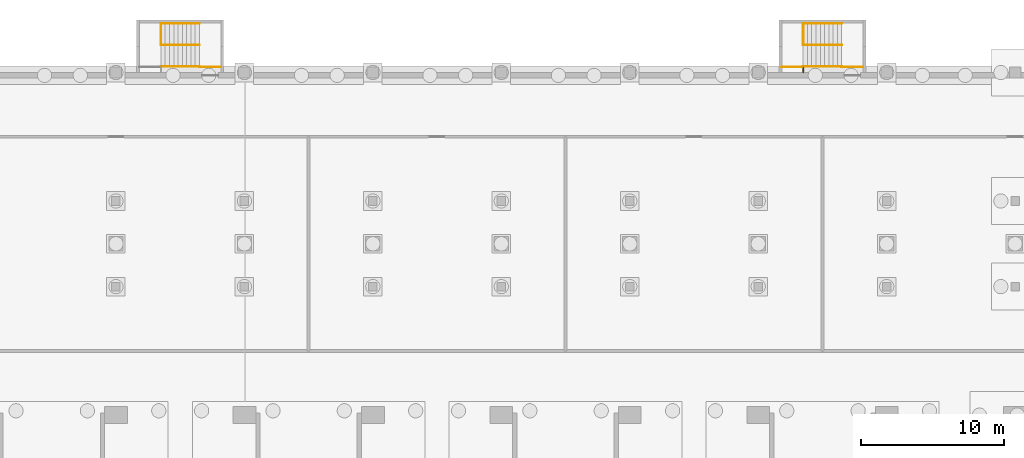
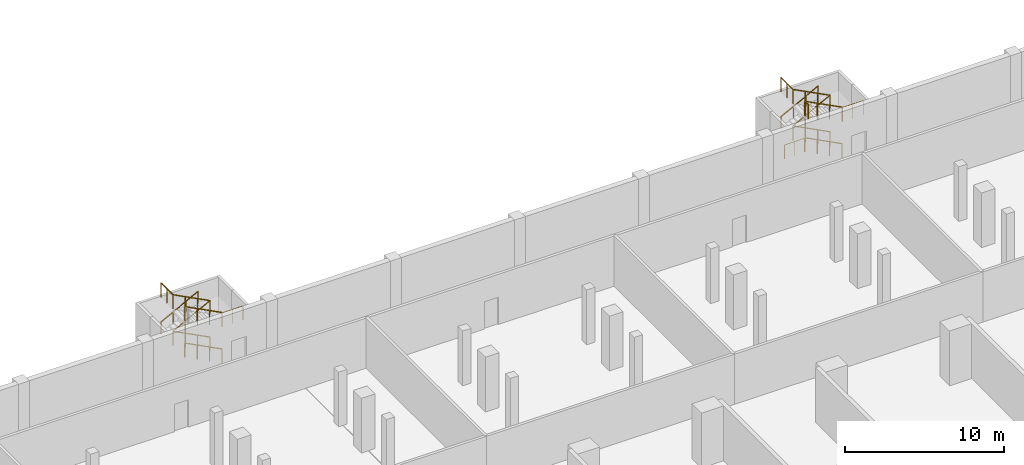
# One storey, part 25 of 29: 18 railings.
"""IFC4 building model written with IfcOpenShell, lengths in metres."""

import ifcopenshell
import ifcopenshell.guid

model = None  # the IFC model being written
_history = None  # IfcOwnerHistory: only IFC2X3 demands one
_inside = {}  # id of a spatial element -> (the spatial element, [elements in it])
_under = {}  # id of a project, library or spatial element -> (it, [spatial elements below it])
_declared = {}  # id of a project -> (the project, [libraries it declares])
_typed = {}  # id of a type object -> (the type object, [elements of that type])
_made_of = {}  # id of a material, layer set ... -> (it, [elements and type objects made of it])


def new_model(schema):
    """Start an empty IFC model of exactly this schema.

    Asked for "IFC4X3", IfcOpenShell would pick the latest addendum, in which some entities
    have other attributes; the version numbers below select the first issue.
    IFC2X3 requires an IfcOwnerHistory on every rooted entity: one is made here for all.
    """
    global model, _history
    if schema == "IFC4X3":
        model = ifcopenshell.file(schema_version=(4, 3, 0, 0))
    else:
        model = ifcopenshell.file(schema=schema)
    _inside.clear()
    _under.clear()
    _declared.clear()
    _typed.clear()
    _made_of.clear()
    _history = None
    if model.schema == "IFC2X3":
        org = make("IfcOrganization", Name="unknown")
        user = make(
            "IfcPersonAndOrganization",
            ThePerson=make("IfcPerson", FamilyName="unknown"),
            TheOrganization=org,
        )
        app = make(
            "IfcApplication",
            ApplicationDeveloper=org,
            Version="unknown",
            ApplicationFullName="unknown",
            ApplicationIdentifier="unknown",
        )
        _history = make(
            "IfcOwnerHistory",
            OwningUser=user,
            OwningApplication=app,
            ChangeAction="ADDED",
            CreationDate=0,
        )
    return model


def make(cls, **values):
    """One entity of the class cls with the attributes given. An attribute that is None is left unset."""
    return model.create_entity(
        cls, **{name: value for name, value in values.items() if value is not None}
    )


def rooted(cls, **values):
    """An entity with a GlobalId (a new one), such as an element, a storey or a relation."""
    return make(cls, GlobalId=ifcopenshell.guid.new(), OwnerHistory=_history, **values)


def si_unit(unit_type, name, prefix=None):
    """IfcSIUnit, for example si_unit("LENGTHUNIT", "METRE", prefix="MILLI")."""
    return make("IfcSIUnit", UnitType=unit_type, Prefix=prefix, Name=name)


def assignment(units):
    """IfcUnitAssignment: the units of a project."""
    return None if units is None else make("IfcUnitAssignment", Units=units)


def point(xyz):
    """IfcCartesianPoint."""
    return None if xyz is None else make("IfcCartesianPoint", Coordinates=xyz)


def direction(xyz):
    """IfcDirection."""
    return None if xyz is None else make("IfcDirection", DirectionRatios=xyz)


def frame(location, z_axis=None, x_axis=None):
    """IfcAxis2Placement3D, a coordinate frame: its origin and axes. An axis left out is left unset."""
    return make(
        "IfcAxis2Placement3D",
        Location=point(location),
        Axis=direction(z_axis),
        RefDirection=direction(x_axis),
    )


def frame_2d(location, x_axis=None):
    """IfcAxis2Placement2D, a coordinate frame in the plane: its origin and x axis."""
    return make(
        "IfcAxis2Placement2D", Location=point(location), RefDirection=direction(x_axis)
    )


def origin():
    """The frame at (0, 0, 0) with its axes left unset."""
    return frame((0.0, 0.0, 0.0))


def origin_2d():
    """The frame at (0, 0) in the plane with its x axis left unset."""
    return frame_2d((0.0, 0.0))


def place(relative_to, where):
    """IfcLocalPlacement: puts the frame where relative to a parent placement (None: the world)."""
    return make(
        "IfcLocalPlacement", PlacementRelTo=relative_to, RelativePlacement=where
    )


def context(
    kind, dimensions, precision=None, world=None, true_north=None, identifier=None
):
    """IfcGeometricRepresentationContext, for example the 3D "Model" context."""
    return make(
        "IfcGeometricRepresentationContext",
        ContextIdentifier=identifier,
        ContextType=kind,
        CoordinateSpaceDimension=dimensions,
        Precision=precision,
        WorldCoordinateSystem=world,
        TrueNorth=true_north,
    )


def subcontext(parent, identifier, kind, view, scale=None):
    """IfcGeometricRepresentationSubContext, for example "Body" below "Model"."""
    return make(
        "IfcGeometricRepresentationSubContext",
        ContextIdentifier=identifier,
        ContextType=kind,
        ParentContext=parent,
        TargetScale=scale,
        TargetView=view,
    )


def project(units=None, contexts=None):
    """IfcProject with its units and contexts."""
    return rooted(
        "IfcProject",
        Name="project",
        RepresentationContexts=contexts,
        UnitsInContext=assignment(units),
    )


def spatial(cls, under=None, at=None, **own):
    """A site, building, storey or space (cls), placed at a placement, below another one or the project."""
    s = rooted(cls, ObjectPlacement=at, **own)
    if under is not None:
        _under.setdefault(under.id(), (under, []))[1].append(s)
    return s


def profile(cls, at=None, kind="AREA", **sizes):
    """A parametric profile (cls). Its sizes go by their IFC names, for example OverallWidth=200.0."""
    return make(cls, ProfileType=kind, Position=at, **sizes)


def circle(**sizes):
    """IfcCircleProfileDef."""
    return profile("IfcCircleProfileDef", **sizes)


def extrude(swept, where, along, depth):
    """IfcExtrudedAreaSolid: the profile swept, set in the frame where, extruded along a direction by depth."""
    return make(
        "IfcExtrudedAreaSolid",
        SweptArea=swept,
        Position=where,
        ExtrudedDirection=direction(along),
        Depth=depth,
    )


def shape(context_of_items, identifier, shape_type, items):
    """IfcShapeRepresentation: the items that make up one representation, for example the "Body"."""
    return make(
        "IfcShapeRepresentation",
        ContextOfItems=context_of_items,
        RepresentationIdentifier=identifier,
        RepresentationType=shape_type,
        Items=items,
    )


def material(Name=None, Category=None):
    """IfcMaterial."""
    return make("IfcMaterial", Name=Name, Category=Category)


def made_of(thing, what):
    """Note that an element or type object is made of a material, layer set ...; save() writes the relation."""
    if what is not None:
        _made_of.setdefault(what.id(), (what, []))[1].append(thing)
    return thing


def type_object(cls, material=None, **own):
    """A type object (cls), such as IfcWallType, which elements share."""
    return made_of(rooted(cls, **own), material)


def element(
    cls,
    number,
    at=None,
    inside=None,
    cuts=None,
    type_object=None,
    material=None,
    context=None,
    identifier="Body",
    shape_type=None,
    held_by="IfcProductDefinitionShape",
    body=None,
    shapes=None,
    **own,
):
    """One element of the class cls, such as IfcWall. Its Tag is "e" and its number.

    at: its placement. inside: the storey or other place that contains it. cuts: it is an
    opening in that element (IfcRelVoidsElement). A single representation is given by context,
    identifier, shape_type and body (its items); several are given by shapes. held_by: the class
    of the entity that holds the representations. save() writes the other relations.
    """
    e = rooted(cls, Tag="e%d" % number, ObjectPlacement=at, **own)
    if body is not None:
        shapes = [shape(context, identifier, shape_type, body)]
    if shapes is not None:
        e.Representation = make(held_by, Representations=shapes)
    if inside is not None:
        _inside.setdefault(inside.id(), (inside, []))[1].append(e)
    if cuts is not None:
        rooted(
            "IfcRelVoidsElement", RelatingBuildingElement=cuts, RelatedOpeningElement=e
        )
    if type_object is not None:
        _typed.setdefault(type_object.id(), (type_object, []))[1].append(e)
    return made_of(e, material)


def aggregate(whole, parts):
    """IfcRelAggregates: a whole, such as a stair, and the parts it consists of."""
    return rooted("IfcRelAggregates", RelatingObject=whole, RelatedObjects=parts)


def save(model, path):
    """Write the relations noted so far, then the file.

    IfcRelAggregates (storeys below a building ...), IfcRelContainedInSpatialStructure (elements
    in a storey), IfcRelDefinesByType, IfcRelAssociatesMaterial and IfcRelDeclares: one each for
    every whole, place, type object, material and project.
    """
    for whole, parts in _under.values():
        aggregate(whole, parts)
    for where, things in _inside.values():
        rooted(
            "IfcRelContainedInSpatialStructure",
            RelatedElements=things,
            RelatingStructure=where,
        )
    for kind, things in _typed.values():
        rooted("IfcRelDefinesByType", RelatedObjects=things, RelatingType=kind)
    for what, things in _made_of.values():
        rooted("IfcRelAssociatesMaterial", RelatedObjects=things, RelatingMaterial=what)
    for by, libraries in _declared.values():
        rooted("IfcRelDeclares", RelatingContext=by, RelatedDefinitions=libraries)
    model.write(path)


model = new_model("IFC4")

# Units and contexts
model_context = context("Model", 3, precision=1e-05, world=origin(), true_north=direction((0.0, 1.0)))
body_context = subcontext(model_context, "Body", "Model", "MODEL_VIEW")
ifc_project = project(units=[si_unit("LENGTHUNIT", "METRE"), si_unit("AREAUNIT", "SQUARE_METRE"), si_unit("VOLUMEUNIT", "CUBIC_METRE"), si_unit("PLANEANGLEUNIT", "RADIAN"), si_unit("MASSUNIT", "GRAM", prefix="KILO")], contexts=[model_context])

# Site, building, storey
site_placement = place(None, origin())
site = spatial("IfcSite", under=ifc_project, at=site_placement, CompositionType="ELEMENT")
building_placement = place(site_placement, origin())
building = spatial("IfcBuilding", under=site, at=building_placement, Name="Aravalli Gate Trade Fair Centre", CompositionType="ELEMENT")
storey_placement = place(building_placement, frame((0.0, 0.0, -8.39990234375)))
storey = spatial("IfcBuildingStorey", under=building, at=storey_placement, Name="B2", CompositionType="ELEMENT", Elevation=-8.39990234375)

# Railings
ifc_material = material(Name="Steel E350", Category="steel")
railing_type_1 = type_object("IfcRailingType", Name="Basement stair guard 1100", PredefinedType="GUARDRAIL", material=ifc_material)
railing_1_placement = place(storey_placement, frame((47.85009765625, 134.929931640625, 0.0)))
element("IfcRailing", 1, at=railing_1_placement, inside=storey, type_object=railing_type_1, Name="Basement stair N2 guard A B2", PredefinedType="GUARDRAIL", context=body_context, shape_type="SweptSolid", body=[
    extrude(circle(Radius=0.02392578125, at=origin_2d()), frame((0.0, 0.0, 1.076171875), z_axis=(-0.887781257544, 0.0, 0.460265617609), x_axis=(0.0, -1.0, 0.0)), (0.0, 0.0, 1.0), 3.04150390625),
    extrude(circle(Radius=0.02099609375, at=origin_2d()), origin(), (0.0, 0.0, 1.0), 1.052001953125),
    extrude(circle(Radius=0.02099609375, at=origin_2d()), frame((-0.900146484375, 0.0, 0.466552734375)), (0.0, 0.0, 1.0), 1.052001953125),
    extrude(circle(Radius=0.02099609375, at=origin_2d()), frame((-1.800048828125, 0.0, 0.933349609375)), (0.0, 0.0, 1.0), 1.052001953125),
    extrude(circle(Radius=0.02099609375, at=origin_2d()), frame((-2.7001953125, 0.0, 1.39990234375)), (0.0, 0.0, 1.0), 1.052001953125),
])
railing_2_placement = place(storey_placement, frame((45.14990234375, 134.929931640625, 1.39990234375)))
element("IfcRailing", 2, at=railing_2_placement, inside=storey, type_object=railing_type_1, Name="Basement stair N2 guard B B2", PredefinedType="GUARDRAIL", context=body_context, shape_type="SweptSolid", body=[
    extrude(circle(Radius=0.02392578125, at=origin_2d()), frame((0.0, 0.0, 1.076171875), z_axis=(0.887781257544, 0.0, 0.460265617609), x_axis=(0.0, 1.0, 0.0)), (0.0, 0.0, 1.0), 3.04150390625),
    extrude(circle(Radius=0.02099609375, at=origin_2d()), origin(), (0.0, 0.0, 1.0), 1.052001953125),
    extrude(circle(Radius=0.02099609375, at=origin_2d()), frame((0.900146484375, 0.0, 0.466552734375)), (0.0, 0.0, 1.0), 1.052001953125),
    extrude(circle(Radius=0.02099609375, at=origin_2d()), frame((1.800048828125, 0.0, 0.933349609375)), (0.0, 0.0, 1.0), 1.052001953125),
    extrude(circle(Radius=0.02099609375, at=origin_2d()), frame((2.7001953125, 0.0, 1.39990234375)), (0.0, 0.0, 1.0), 1.052001953125),
])
railing_3_placement = place(storey_placement, frame((47.85009765625, 134.929931640625, 2.7998046875)))
element("IfcRailing", 3, at=railing_3_placement, inside=storey, type_object=railing_type_1, Name="Basement stair N2 guard C B2", PredefinedType="GUARDRAIL", context=body_context, shape_type="SweptSolid", body=[
    extrude(circle(Radius=0.02392578125, at=origin_2d()), frame((0.0, 0.0, 1.076171875), z_axis=(-0.887748457143, 0.0, 0.460328878998), x_axis=(0.0, -1.0, 0.0)), (0.0, 0.0, 1.0), 3.04150390625),
    extrude(circle(Radius=0.02099609375, at=origin_2d()), origin(), (0.0, 0.0, 1.0), 1.052001953125),
    extrude(circle(Radius=0.02099609375, at=origin_2d()), frame((-0.900146484375, 0.0, 0.466796875)), (0.0, 0.0, 1.0), 1.052001953125),
    extrude(circle(Radius=0.02099609375, at=origin_2d()), frame((-1.800048828125, 0.0, 0.933349609375)), (0.0, 0.0, 1.0), 1.052001953125),
    extrude(circle(Radius=0.02099609375, at=origin_2d()), frame((-2.7001953125, 0.0, 1.400146484375)), (0.0, 0.0, 1.0), 1.052001953125),
])
railing_4_placement = place(storey_placement, frame((47.85009765625, 133.429931640625, 0.0)))
element("IfcRailing", 4, at=railing_4_placement, inside=storey, type_object=railing_type_1, Name="Basement stair N2 guard A B2", PredefinedType="GUARDRAIL", context=body_context, shape_type="SweptSolid", body=[
    extrude(circle(Radius=0.02392578125, at=origin_2d()), frame((0.0, 0.0, 1.076171875), z_axis=(-0.887781257544, 0.0, 0.460265617609), x_axis=(0.0, -1.0, 0.0)), (0.0, 0.0, 1.0), 3.04150390625),
    extrude(circle(Radius=0.02099609375, at=origin_2d()), origin(), (0.0, 0.0, 1.0), 1.052001953125),
    extrude(circle(Radius=0.02099609375, at=origin_2d()), frame((-0.900146484375, 0.0, 0.466552734375)), (0.0, 0.0, 1.0), 1.052001953125),
    extrude(circle(Radius=0.02099609375, at=origin_2d()), frame((-1.800048828125, 0.0, 0.933349609375)), (0.0, 0.0, 1.0), 1.052001953125),
    extrude(circle(Radius=0.02099609375, at=origin_2d()), frame((-2.7001953125, 0.0, 1.39990234375)), (0.0, 0.0, 1.0), 1.052001953125),
])
railing_5_placement = place(storey_placement, frame((47.85009765625, 133.429931640625, 2.7998046875)))
element("IfcRailing", 5, at=railing_5_placement, inside=storey, type_object=railing_type_1, Name="Basement stair N2 guard C B2", PredefinedType="GUARDRAIL", context=body_context, shape_type="SweptSolid", body=[
    extrude(circle(Radius=0.02392578125, at=origin_2d()), frame((0.0, 0.0, 1.076171875), z_axis=(-0.887748457143, 0.0, 0.460328878998), x_axis=(0.0, -1.0, 0.0)), (0.0, 0.0, 1.0), 3.04150390625),
    extrude(circle(Radius=0.02099609375, at=origin_2d()), origin(), (0.0, 0.0, 1.0), 1.052001953125),
    extrude(circle(Radius=0.02099609375, at=origin_2d()), frame((-0.900146484375, 0.0, 0.466796875)), (0.0, 0.0, 1.0), 1.052001953125),
    extrude(circle(Radius=0.02099609375, at=origin_2d()), frame((-1.800048828125, 0.0, 0.933349609375)), (0.0, 0.0, 1.0), 1.052001953125),
    extrude(circle(Radius=0.02099609375, at=origin_2d()), frame((-2.7001953125, 0.0, 1.400146484375)), (0.0, 0.0, 1.0), 1.052001953125),
])
railing_6_placement = place(storey_placement, frame((49.35009765625, 133.3798828125, 2.7998046875)))
element("IfcRailing", 6, at=railing_6_placement, inside=storey, type_object=railing_type_1, Name="Basement stair N2 landing edge guard 2 B2", PredefinedType="GUARDRAIL", context=body_context, shape_type="SweptSolid", body=[
    extrude(circle(Radius=0.02392578125, at=origin_2d()), frame((0.0, 0.0, 1.076171875), z_axis=(-1.0, 0.0, 0.0), x_axis=(0.0, -1.0, 0.0)), (0.0, 0.0, 1.0), 1.5),
    extrude(circle(Radius=0.02099609375, at=origin_2d()), origin(), (0.0, 0.0, 1.0), 1.052001953125),
    extrude(circle(Radius=0.02099609375, at=origin_2d()), frame((-0.75, 0.0, 0.0)), (0.0, 0.0, 1.0), 1.052001953125),
    extrude(circle(Radius=0.02099609375, at=origin_2d()), frame((-1.5, 0.0, 0.0)), (0.0, 0.0, 1.0), 1.052001953125),
])
railing_7_placement = place(storey_placement, frame((45.14990234375, 134.929931640625, 4.199951171875)))
element("IfcRailing", 7, at=railing_7_placement, inside=storey, type_object=railing_type_1, Name="Basement stair N2 well guard B2", PredefinedType="GUARDRAIL", context=body_context, shape_type="SweptSolid", body=[
    extrude(circle(Radius=0.02392578125, at=origin_2d()), frame((0.0, 0.0, 1.076171875), z_axis=(0.0, 1.0, 0.0), x_axis=(-1.0, 0.0, 0.0)), (0.0, 0.0, 1.0), 1.5),
    extrude(circle(Radius=0.02099609375, at=origin_2d()), origin(), (0.0, 0.0, 1.0), 1.052001953125),
    extrude(circle(Radius=0.02099609375, at=origin_2d()), frame((0.0, 0.75, 0.0)), (0.0, 0.0, 1.0), 1.052001953125),
    extrude(circle(Radius=0.02099609375, at=origin_2d()), frame((0.0, 1.5, 0.0)), (0.0, 0.0, 1.0), 1.052001953125),
])
railing_8_placement = place(storey_placement, frame((92.85009765625, 134.929931640625, 0.0)))
element("IfcRailing", 8, at=railing_8_placement, inside=storey, type_object=railing_type_1, Name="Basement stair N3 guard A B2", PredefinedType="GUARDRAIL", context=body_context, shape_type="SweptSolid", body=[
    extrude(circle(Radius=0.02392578125, at=origin_2d()), frame((0.0, 0.0, 1.076171875), z_axis=(-0.887781257544, 0.0, 0.460265617609), x_axis=(0.0, -1.0, 0.0)), (0.0, 0.0, 1.0), 3.04150390625),
    extrude(circle(Radius=0.02099609375, at=origin_2d()), origin(), (0.0, 0.0, 1.0), 1.052001953125),
    extrude(circle(Radius=0.02099609375, at=origin_2d()), frame((-0.900146484375, 0.0, 0.466552734375)), (0.0, 0.0, 1.0), 1.052001953125),
    extrude(circle(Radius=0.02099609375, at=origin_2d()), frame((-1.800048828125, 0.0, 0.933349609375)), (0.0, 0.0, 1.0), 1.052001953125),
    extrude(circle(Radius=0.02099609375, at=origin_2d()), frame((-2.7001953125, 0.0, 1.39990234375)), (0.0, 0.0, 1.0), 1.052001953125),
])
railing_9_placement = place(storey_placement, frame((90.14990234375, 134.929931640625, 1.39990234375)))
element("IfcRailing", 9, at=railing_9_placement, inside=storey, type_object=railing_type_1, Name="Basement stair N3 guard B B2", PredefinedType="GUARDRAIL", context=body_context, shape_type="SweptSolid", body=[
    extrude(circle(Radius=0.02392578125, at=origin_2d()), frame((0.0, 0.0, 1.076171875), z_axis=(0.887781257544, 0.0, 0.460265617609), x_axis=(0.0, 1.0, 0.0)), (0.0, 0.0, 1.0), 3.04150390625),
    extrude(circle(Radius=0.02099609375, at=origin_2d()), origin(), (0.0, 0.0, 1.0), 1.052001953125),
    extrude(circle(Radius=0.02099609375, at=origin_2d()), frame((0.900146484375, 0.0, 0.466552734375)), (0.0, 0.0, 1.0), 1.052001953125),
    extrude(circle(Radius=0.02099609375, at=origin_2d()), frame((1.800048828125, 0.0, 0.933349609375)), (0.0, 0.0, 1.0), 1.052001953125),
    extrude(circle(Radius=0.02099609375, at=origin_2d()), frame((2.7001953125, 0.0, 1.39990234375)), (0.0, 0.0, 1.0), 1.052001953125),
])
railing_10_placement = place(storey_placement, frame((92.85009765625, 134.929931640625, 2.7998046875)))
element("IfcRailing", 10, at=railing_10_placement, inside=storey, type_object=railing_type_1, Name="Basement stair N3 guard C B2", PredefinedType="GUARDRAIL", context=body_context, shape_type="SweptSolid", body=[
    extrude(circle(Radius=0.02392578125, at=origin_2d()), frame((0.0, 0.0, 1.076171875), z_axis=(-0.887748457143, 0.0, 0.460328878998), x_axis=(0.0, -1.0, 0.0)), (0.0, 0.0, 1.0), 3.04150390625),
    extrude(circle(Radius=0.02099609375, at=origin_2d()), origin(), (0.0, 0.0, 1.0), 1.052001953125),
    extrude(circle(Radius=0.02099609375, at=origin_2d()), frame((-0.900146484375, 0.0, 0.466796875)), (0.0, 0.0, 1.0), 1.052001953125),
    extrude(circle(Radius=0.02099609375, at=origin_2d()), frame((-1.800048828125, 0.0, 0.933349609375)), (0.0, 0.0, 1.0), 1.052001953125),
    extrude(circle(Radius=0.02099609375, at=origin_2d()), frame((-2.7001953125, 0.0, 1.400146484375)), (0.0, 0.0, 1.0), 1.052001953125),
])
railing_11_placement = place(storey_placement, frame((92.85009765625, 133.429931640625, 0.0)))
element("IfcRailing", 11, at=railing_11_placement, inside=storey, type_object=railing_type_1, Name="Basement stair N3 guard A B2", PredefinedType="GUARDRAIL", context=body_context, shape_type="SweptSolid", body=[
    extrude(circle(Radius=0.02392578125, at=origin_2d()), frame((0.0, 0.0, 1.076171875), z_axis=(-0.887781257544, 0.0, 0.460265617609), x_axis=(0.0, -1.0, 0.0)), (0.0, 0.0, 1.0), 3.04150390625),
    extrude(circle(Radius=0.02099609375, at=origin_2d()), origin(), (0.0, 0.0, 1.0), 1.052001953125),
    extrude(circle(Radius=0.02099609375, at=origin_2d()), frame((-0.900146484375, 0.0, 0.466552734375)), (0.0, 0.0, 1.0), 1.052001953125),
    extrude(circle(Radius=0.02099609375, at=origin_2d()), frame((-1.800048828125, 0.0, 0.933349609375)), (0.0, 0.0, 1.0), 1.052001953125),
    extrude(circle(Radius=0.02099609375, at=origin_2d()), frame((-2.7001953125, 0.0, 1.39990234375)), (0.0, 0.0, 1.0), 1.052001953125),
])
railing_12_placement = place(storey_placement, frame((92.85009765625, 133.429931640625, 2.7998046875)))
element("IfcRailing", 12, at=railing_12_placement, inside=storey, type_object=railing_type_1, Name="Basement stair N3 guard C B2", PredefinedType="GUARDRAIL", context=body_context, shape_type="SweptSolid", body=[
    extrude(circle(Radius=0.02392578125, at=origin_2d()), frame((0.0, 0.0, 1.076171875), z_axis=(-0.887748457143, 0.0, 0.460328878998), x_axis=(0.0, -1.0, 0.0)), (0.0, 0.0, 1.0), 3.04150390625),
    extrude(circle(Radius=0.02099609375, at=origin_2d()), origin(), (0.0, 0.0, 1.0), 1.052001953125),
    extrude(circle(Radius=0.02099609375, at=origin_2d()), frame((-0.900146484375, 0.0, 0.466796875)), (0.0, 0.0, 1.0), 1.052001953125),
    extrude(circle(Radius=0.02099609375, at=origin_2d()), frame((-1.800048828125, 0.0, 0.933349609375)), (0.0, 0.0, 1.0), 1.052001953125),
    extrude(circle(Radius=0.02099609375, at=origin_2d()), frame((-2.7001953125, 0.0, 1.400146484375)), (0.0, 0.0, 1.0), 1.052001953125),
])
for number, where, name in (
    (13, (90.14990234375, 133.3798828125, 1.39990234375), "Basement stair N3 landing edge guard 1 B2"),
    (14, (94.35009765625, 133.3798828125, 2.7998046875), "Basement stair N3 landing edge guard 2 B2"),
):
    element("IfcRailing", number, at=place(storey_placement, frame(where)), inside=storey, type_object=railing_type_1, Name=name, PredefinedType="GUARDRAIL", context=body_context, shape_type="SweptSolid", body=[
        extrude(circle(Radius=0.02392578125, at=origin_2d()), frame((0.0, 0.0, 1.076171875), z_axis=(-1.0, 0.0, 0.0), x_axis=(0.0, -1.0, 0.0)), (0.0, 0.0, 1.0), 1.5),
        extrude(circle(Radius=0.02099609375, at=origin_2d()), origin(), (0.0, 0.0, 1.0), 1.052001953125),
        extrude(circle(Radius=0.02099609375, at=origin_2d()), frame((-0.75, 0.0, 0.0)), (0.0, 0.0, 1.0), 1.052001953125),
        extrude(circle(Radius=0.02099609375, at=origin_2d()), frame((-1.5, 0.0, 0.0)), (0.0, 0.0, 1.0), 1.052001953125),
    ])
railing_13_placement = place(storey_placement, frame((90.14990234375, 133.0, 4.199951171875)))
element("IfcRailing", 15, at=railing_13_placement, inside=storey, type_object=railing_type_1, Name="Basement stair N3 strip guard B2", PredefinedType="GUARDRAIL", context=body_context, shape_type="SweptSolid", body=[
    extrude(circle(Radius=0.02392578125, at=origin_2d()), frame((0.0, 0.0, 1.076171875), z_axis=(0.0, 1.0, 0.0), x_axis=(-1.0, 0.0, 0.0)), (0.0, 0.0, 1.0), 0.3798828125),
    extrude(circle(Radius=0.02099609375, at=origin_2d()), origin(), (0.0, 0.0, 1.0), 1.052001953125),
    extrude(circle(Radius=0.02099609375, at=origin_2d()), frame((0.0, 0.3798828125, 0.0)), (0.0, 0.0, 1.0), 1.052001953125),
])
railing_14_placement = place(storey_placement, frame((90.14990234375, 134.929931640625, 4.199951171875)))
element("IfcRailing", 16, at=railing_14_placement, inside=storey, type_object=railing_type_1, Name="Basement stair N3 well guard B2", PredefinedType="GUARDRAIL", context=body_context, shape_type="SweptSolid", body=[
    extrude(circle(Radius=0.02392578125, at=origin_2d()), frame((0.0, 0.0, 1.076171875), z_axis=(0.0, 1.0, 0.0), x_axis=(-1.0, 0.0, 0.0)), (0.0, 0.0, 1.0), 1.5),
    extrude(circle(Radius=0.02099609375, at=origin_2d()), origin(), (0.0, 0.0, 1.0), 1.052001953125),
    extrude(circle(Radius=0.02099609375, at=origin_2d()), frame((0.0, 0.75, 0.0)), (0.0, 0.0, 1.0), 1.052001953125),
    extrude(circle(Radius=0.02099609375, at=origin_2d()), frame((0.0, 1.5, 0.0)), (0.0, 0.0, 1.0), 1.052001953125),
])
railing_type_2 = type_object("IfcRailingType", Name="Basement stair handrail 900", PredefinedType="HANDRAIL", material=ifc_material)
for number, where, name in (
    (17, (45.14990234375, 136.429931640625, 1.39990234375), "Basement stair N2 handrail B B2"),
    (18, (90.14990234375, 136.429931640625, 1.39990234375), "Basement stair N3 handrail B B2"),
):
    element("IfcRailing", number, at=place(storey_placement, frame(where)), inside=storey, type_object=railing_type_2, Name=name, PredefinedType="HANDRAIL", context=body_context, shape_type="SweptSolid", body=[
        extrude(circle(Radius=0.02392578125, at=origin_2d()), frame((0.0, 0.0, 0.8759765625), z_axis=(0.887781257544, 0.0, 0.460265617609), x_axis=(0.0, 1.0, 0.0)), (0.0, 0.0, 1.0), 3.04150390625),
        extrude(circle(Radius=0.02099609375, at=origin_2d()), origin(), (0.0, 0.0, 1.0), 0.851806640625),
        extrude(circle(Radius=0.02099609375, at=origin_2d()), frame((0.900146484375, 0.0, 0.466552734375)), (0.0, 0.0, 1.0), 0.851806640625),
        extrude(circle(Radius=0.02099609375, at=origin_2d()), frame((1.800048828125, 0.0, 0.933349609375)), (0.0, 0.0, 1.0), 0.851806640625),
        extrude(circle(Radius=0.02099609375, at=origin_2d()), frame((2.7001953125, 0.0, 1.39990234375)), (0.0, 0.0, 1.0), 0.851806640625),
    ])

save(model, "model.ifc")
